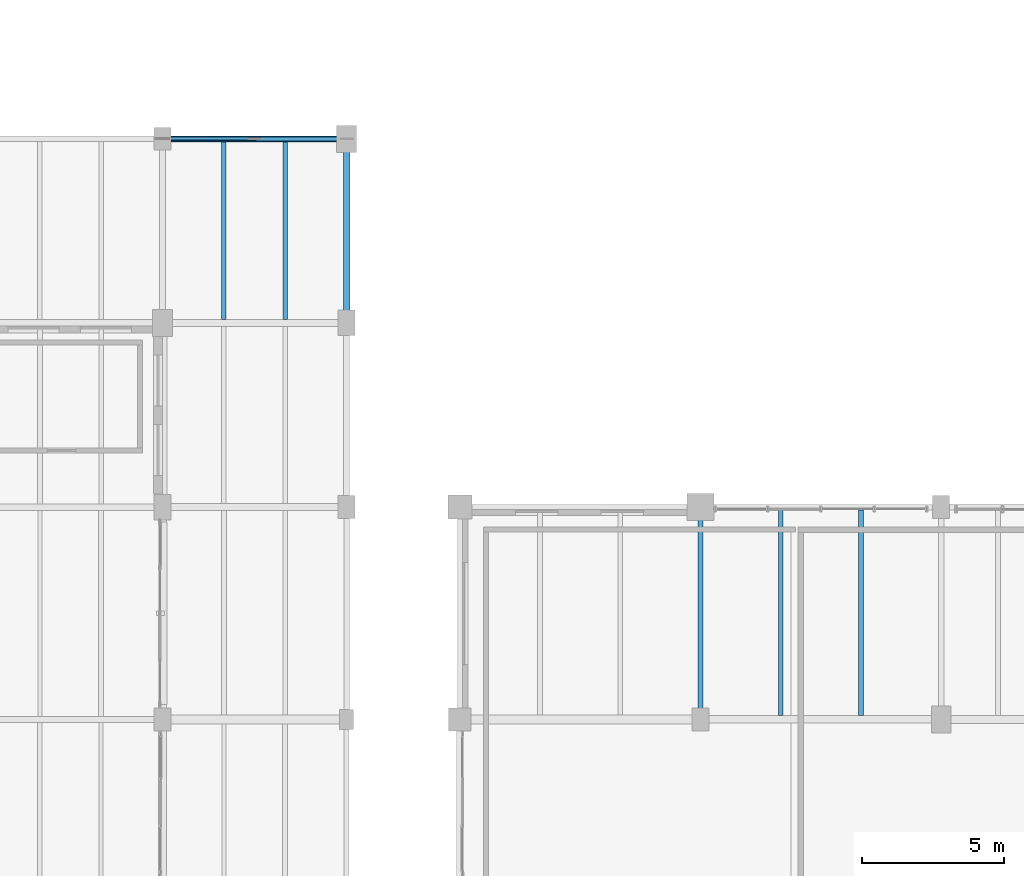
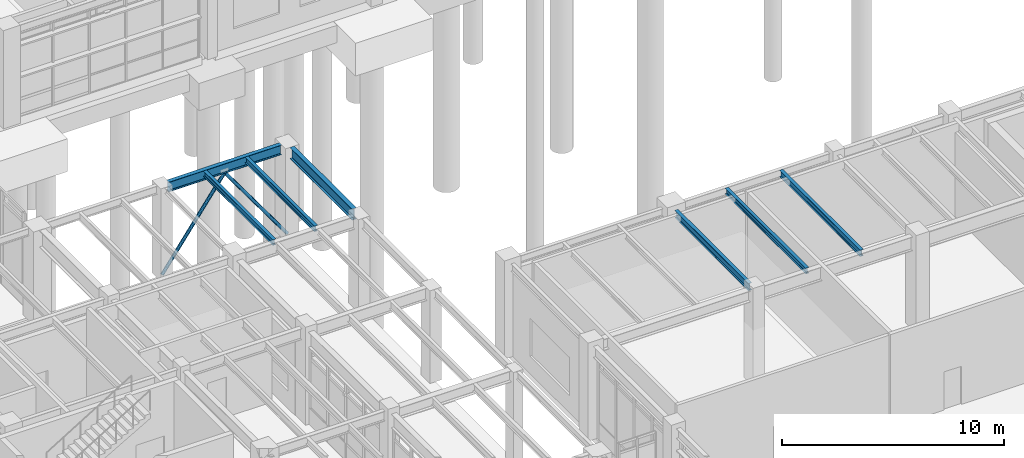
# One storey, part 124 of 203: 7 beams, 2 members.
"""IFC4 building model written with IfcOpenShell, lengths in metres."""

from ifc_helpers import new_model, si_unit, direction, frame, origin, origin_2d, place, context, subcontext, project, spatial, hollow_circle, i_section, extrude, material, material_profile, profile_set, type_object, element, save


model = new_model("IFC4")

# Units and contexts
model_context = context("Model", 3, precision=1e-05, world=origin(), true_north=direction((0.0, 1.0)))
body_context = subcontext(model_context, "Body", "Model", "MODEL_VIEW")
ifc_project = project(units=[si_unit("LENGTHUNIT", "METRE"), si_unit("AREAUNIT", "SQUARE_METRE"), si_unit("VOLUMEUNIT", "CUBIC_METRE"), si_unit("PLANEANGLEUNIT", "RADIAN"), si_unit("MASSUNIT", "GRAM", prefix="KILO"), si_unit("THERMODYNAMICTEMPERATUREUNIT", "KELVIN"), si_unit("POWERUNIT", "WATT")], contexts=[model_context])

# Site, building, storey
site_placement = place(None, origin())
site = spatial("IfcSite", under=ifc_project, at=site_placement, CompositionType="ELEMENT")
building_placement = place(site_placement, origin())
building = spatial("IfcBuilding", under=site, at=building_placement, Name="Tepalcoro Natatorium and Aquatics Centre", CompositionType="ELEMENT")
storey_placement = place(building_placement, origin())
storey = spatial("IfcBuildingStorey", under=building, at=storey_placement, Name="L00", CompositionType="ELEMENT", Elevation=0.0)

# Beams
ifc_material_1 = material(Name="Steel ASTM A992 Grade 50 (Fy 345 MPa)", Category="steel")
ifc_material_profile_1 = material_profile(ifc_material_1, i_section(OverallWidth=0.177978515625, OverallDepth=0.406005859375, WebThickness=0.008056640625, FlangeThickness=0.012939453125, FilletRadius=0.013916015625, at=origin_2d()), Name="W16X40")
ifc_profile_set_1 = profile_set([ifc_material_profile_1], Name="Steel ASTM A992 Grade 50 (Fy 345 MPa)")
beam_type_1 = type_object("IfcBeamType", Name="BM_W16x40", PredefinedType="BEAM", material=ifc_profile_set_1)
beam_1_placement = place(storey_placement, frame((150.5, 51.885009765625, 4.922119140625), z_axis=(0.0, 1.0, 0.0), x_axis=(-1.0, 0.0, 0.0)))
element("IfcBeam", 1, at=beam_1_placement, inside=storey, type_object=beam_type_1, Name="V2 L00 Grid Girder Y", PredefinedType="BEAM", context=body_context, shape_type="SweptSolid", body=[
    extrude(i_section(OverallWidth=0.177978515625, OverallDepth=0.406005859375, WebThickness=0.008056640625, FlangeThickness=0.012939453125, FilletRadius=0.013916015625, at=origin_2d()), origin(), (0.0, 0.0, 1.0), 6.655029296875),
])
ifc_material_profile_2 = material_profile(ifc_material_1, i_section(OverallWidth=0.1650390625, OverallDepth=0.31005859375, WebThickness=0.006103515625, FlangeThickness=0.010009765625, FilletRadius=0.013916015625, at=origin_2d()), Name="W12X26")
ifc_profile_set_2 = profile_set([ifc_material_profile_2], Name="Steel ASTM A992 Grade 50 (Fy 345 MPa)")
beam_type_2 = type_object("IfcBeamType", Name="JS_W12x26", PredefinedType="JOIST", material=ifc_profile_set_2)
beam_2_placement = place(storey_placement, frame((133.666748046875, 65.626953125, 4.929931640625), z_axis=(0.0, 1.0, 0.0), x_axis=(-1.0, 0.0, 0.0)))
element("IfcBeam", 2, at=beam_2_placement, inside=storey, type_object=beam_type_2, Name="V1 L00 Floor Joist", PredefinedType="JOIST", context=body_context, shape_type="SweptSolid", body=[
    extrude(i_section(OverallWidth=0.1650390625, OverallDepth=0.31005859375, WebThickness=0.006103515625, FlangeThickness=0.010009765625, FilletRadius=0.013916015625, at=origin_2d()), origin(), (0.0, 0.0, 1.0), 6.26806640625),
])
ifc_material_profile_3 = material_profile(ifc_material_1, i_section(OverallWidth=0.1669921875, OverallDepth=0.318115234375, WebThickness=0.008056640625, FlangeThickness=0.012939453125, FilletRadius=0.013916015625, at=origin_2d()), Name="W12X35")
ifc_profile_set_3 = profile_set([ifc_material_profile_3], Name="Steel ASTM A992 Grade 50 (Fy 345 MPa)")
beam_type_3 = type_object("IfcBeamType", Name="JS_W12x35", PredefinedType="JOIST", material=ifc_profile_set_3)
beam_3_placement = place(storey_placement, frame((135.833251953125, 65.626953125, 4.926025390625), z_axis=(0.0, 1.0, 0.0), x_axis=(-1.0, 0.0, 0.0)))
element("IfcBeam", 3, at=beam_3_placement, inside=storey, type_object=beam_type_3, Name="V1 L00 Floor Joist", PredefinedType="JOIST", context=body_context, shape_type="SweptSolid", body=[
    extrude(i_section(OverallWidth=0.1669921875, OverallDepth=0.318115234375, WebThickness=0.008056640625, FlangeThickness=0.012939453125, FilletRadius=0.013916015625, at=origin_2d()), origin(), (0.0, 0.0, 1.0), 6.26806640625),
])
beam_4_placement = place(storey_placement, frame((153.333251953125, 51.633544921875, 4.966064453125), z_axis=(0.0, 1.0, 0.0), x_axis=(-1.0, 0.0, 0.0)))
element("IfcBeam", 4, at=beam_4_placement, inside=storey, type_object=beam_type_3, Name="V2 L00 Floor Joist", PredefinedType="JOIST", context=body_context, shape_type="SweptSolid", body=[
    extrude(i_section(OverallWidth=0.1669921875, OverallDepth=0.318115234375, WebThickness=0.008056640625, FlangeThickness=0.012939453125, FilletRadius=0.013916015625, at=origin_2d()), origin(), (0.0, 0.0, 1.0), 7.27099609375),
])
ifc_material_profile_4 = material_profile(ifc_material_1, i_section(OverallWidth=0.1708984375, OverallDepth=0.35107421875, WebThickness=0.007080078125, FlangeThickness=0.010009765625, FilletRadius=0.013916015625, at=origin_2d()), Name="W14X30")
ifc_profile_set_4 = profile_set([ifc_material_profile_4], Name="Steel ASTM A992 Grade 50 (Fy 345 MPa)")
beam_type_4 = type_object("IfcBeamType", Name="JS_W14x30", PredefinedType="JOIST", material=ifc_profile_set_4)
beam_5_placement = place(storey_placement, frame((156.166748046875, 51.633544921875, 4.949462890625), z_axis=(0.0, 1.0, 0.0), x_axis=(-1.0, 0.0, 0.0)))
element("IfcBeam", 5, at=beam_5_placement, inside=storey, type_object=beam_type_4, Name="V2 L00 Floor Joist", PredefinedType="JOIST", context=body_context, shape_type="SweptSolid", body=[
    extrude(i_section(OverallWidth=0.1708984375, OverallDepth=0.35107421875, WebThickness=0.007080078125, FlangeThickness=0.010009765625, FilletRadius=0.013916015625, at=origin_2d()), origin(), (0.0, 0.0, 1.0), 7.27099609375),
])

# Members
ifc_material_2 = material(Name="Hollow Steel ASTM A500 Grade C (Fy 345 MPa)", Category="steel")
ifc_material_profile_5 = material_profile(ifc_material_2, hollow_circle(Radius=0.083984375, WallThickness=0.010009765625, at=origin_2d()), Name="CHS168X10")
ifc_profile_set_5 = profile_set([ifc_material_profile_5], Name="Hollow Steel ASTM A500 Grade C (Fy 345 MPa)")
member_type = type_object("IfcMemberType", Name="MB_BR_CHS168x10", PredefinedType="BRACE", material=ifc_profile_set_5)
for number, where, z_axis, x_axis, name in (
    (6, (131.5, 72.0, 0.050048828125), (0.587206081685, 0.0, 0.809437469871), (0.0, 1.0, 0.0), "V1 L00 Chevron Lateral Brace"),
    (7, (138.0, 72.0, 0.050048828125), (-0.587206081685, 0.0, 0.809437469871), (0.0, -1.0, 0.0), "V1 L00 Chevron Lateral Brace"),
):
    element("IfcMember", number, at=place(storey_placement, frame(where, z_axis=z_axis, x_axis=x_axis)), inside=storey, type_object=member_type, Name=name, PredefinedType="BRACE", context=body_context, shape_type="SweptSolid", body=[
        extrude(hollow_circle(Radius=0.083984375, WallThickness=0.010009765625, at=origin_2d()), origin(), (0.0, 0.0, 1.0), 5.53466796875),
    ])

# Beams
ifc_material_profile_6 = material_profile(ifc_material_1, i_section(OverallWidth=0.2099609375, OverallDepth=0.535888671875, WebThickness=0.010986328125, FlangeThickness=0.01708984375, FilletRadius=0.013916015625, at=origin_2d()), Name="W21X68")
ifc_profile_set_6 = profile_set([ifc_material_profile_6], Name="Steel ASTM A992 Grade 50 (Fy 345 MPa)")
beam_type_5 = type_object("IfcBeamType", Name="SP_W21x68", PredefinedType="SPANDREL", material=ifc_profile_set_6)
beam_6_placement = place(storey_placement, frame((131.784912109375, 72.0, 4.81689453125), z_axis=(1.0, 0.0, 0.0), x_axis=(0.0, 1.0, 0.0)))
element("IfcBeam", 8, at=beam_6_placement, inside=storey, type_object=beam_type_5, Name="V1 L00 Grid Girder X", PredefinedType="SPANDREL", context=body_context, shape_type="SweptSolid", body=[
    extrude(i_section(OverallWidth=0.2099609375, OverallDepth=0.535888671875, WebThickness=0.010986328125, FlangeThickness=0.01708984375, FilletRadius=0.013916015625, at=origin_2d()), origin(), (0.0, 0.0, 1.0), 5.880126953125),
])
ifc_material_profile_7 = material_profile(ifc_material_1, i_section(OverallWidth=0.22900390625, OverallDepth=0.612060546875, WebThickness=0.011962890625, FlangeThickness=0.02001953125, FilletRadius=0.013916015625, at=origin_2d()), Name="W24X84")
ifc_profile_set_7 = profile_set([ifc_material_profile_7], Name="Steel ASTM A992 Grade 50 (Fy 345 MPa)")
beam_type_6 = type_object("IfcBeamType", Name="SP_W24x84", PredefinedType="SPANDREL", material=ifc_profile_set_7)
beam_7_placement = place(storey_placement, frame((138.0, 65.93505859375, 4.779052734375), z_axis=(0.0, 1.0, 0.0), x_axis=(-1.0, 0.0, 0.0)))
element("IfcBeam", 9, at=beam_7_placement, inside=storey, type_object=beam_type_6, Name="V1 L00 Grid Girder Y", PredefinedType="SPANDREL", context=body_context, shape_type="SweptSolid", body=[
    extrude(i_section(OverallWidth=0.22900390625, OverallDepth=0.612060546875, WebThickness=0.011962890625, FlangeThickness=0.02001953125, FilletRadius=0.013916015625, at=origin_2d()), origin(), (0.0, 0.0, 1.0), 5.60498046875),
])

save(model, "model.ifc")
